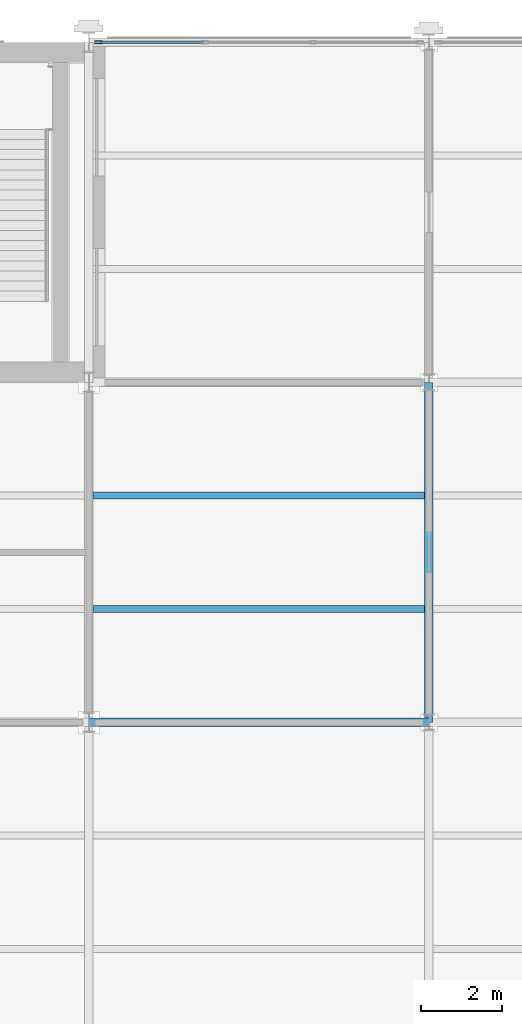
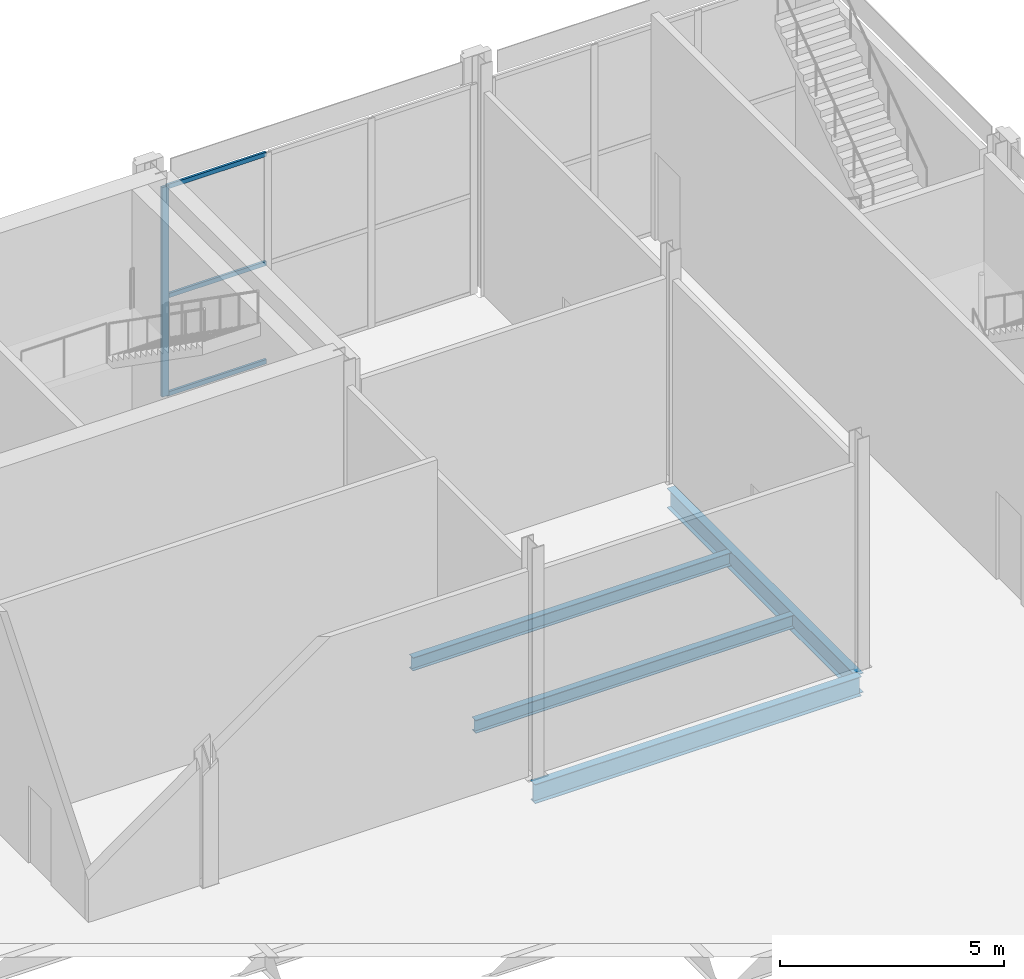
# One storey, part 39 of 77: 4 beams, 4 members, 1 element without a shape of its own.
"""IFC4 building model written with IfcOpenShell, lengths in metres."""

from ifc_helpers import new_model, si_unit, direction, frame, origin, origin_2d, place, context, subcontext, project, spatial, hollow_rectangle, i_section, extrude, material, material_profile, profile_set, type_object, element, aggregate, save


model = new_model("IFC4")

# Units and contexts
model_context = context("Model", 3, precision=1e-05, world=origin(), true_north=direction((0.0, 1.0)))
body_context = subcontext(model_context, "Body", "Model", "MODEL_VIEW")
ifc_project = project(units=[si_unit("LENGTHUNIT", "METRE"), si_unit("AREAUNIT", "SQUARE_METRE"), si_unit("VOLUMEUNIT", "CUBIC_METRE"), si_unit("PLANEANGLEUNIT", "RADIAN"), si_unit("MASSUNIT", "GRAM", prefix="KILO")], contexts=[model_context])

# Site, building, storey
site_placement = place(None, origin())
site = spatial("IfcSite", under=ifc_project, at=site_placement, CompositionType="ELEMENT")
building_placement = place(site_placement, origin())
building = spatial("IfcBuilding", under=site, at=building_placement, Name="Catenary Quay Ferry Terminal", CompositionType="ELEMENT")
storey_placement = place(building_placement, frame((0.0, 0.0, 10.800048828125)))
storey = spatial("IfcBuildingStorey", under=building, at=storey_placement, Name="L02", CompositionType="ELEMENT", Elevation=10.800048828125)

# Beams
ifc_material_1 = material(Name="Steel S355", Category="steel")
ifc_material_profile_1 = material_profile(ifc_material_1, i_section(OverallWidth=0.208740234375, OverallDepth=0.5283203125, WebThickness=0.009521484375, FlangeThickness=0.01318359375, at=origin_2d()), Name="UB 533x210x82")
ifc_profile_set_1 = profile_set([ifc_material_profile_1], Name="Steel S355")
beam_type_1 = type_object("IfcBeamType", Name="B5 UB 533x210x82", PredefinedType="BEAM", material=ifc_profile_set_1)
for number, where, z_axis, x_axis, name in (
    (1, (50.39990234375, 193.199951171875, -0.51416015625), (1.0, 0.0, 0.0), (0.0, 1.0, 0.0), "Beam B5-018"),
    (2, (58.800048828125, 193.199951171875, -0.51416015625), (0.0, 1.0, 0.0), (-1.0, 0.0, 0.0), "Beam B5-042"),
):
    element("IfcBeam", number, at=place(storey_placement, frame(where, z_axis=z_axis, x_axis=x_axis)), inside=storey, type_object=beam_type_1, Name=name, PredefinedType="BEAM", context=body_context, shape_type="SweptSolid", body=[
        extrude(i_section(OverallWidth=0.208740234375, OverallDepth=0.5283203125, WebThickness=0.009521484375, FlangeThickness=0.01318359375, at=origin_2d()), origin(), (0.0, 0.0, 1.0), 8.400146484375),
    ])
ifc_material_2 = material(Name="Steel S355", Category="steel")
ifc_material_profile_2 = material_profile(ifc_material_2, i_section(OverallWidth=0.169921875, OverallDepth=0.360107421875, WebThickness=0.008056640625, FlangeThickness=0.0126953125, at=origin_2d()), Name="IPE 360")
ifc_profile_set_2 = profile_set([ifc_material_profile_2], Name="Steel S355")
beam_type_2 = type_object("IfcBeamType", Name="B7 IPE 360", PredefinedType="BEAM", material=ifc_profile_set_2)
for number, where, z_axis, x_axis, name in (
    (3, (50.50390625, 196.0, -0.429931640625), (1.0, 0.0, 0.0), (0.0, 1.0, 0.0), "Beam B7-038"),
    (4, (50.50390625, 198.800048828125, -0.429931640625), (1.0, 0.0, 0.0), (0.0, 1.0, 0.0), "Beam B7-043"),
):
    element("IfcBeam", number, at=place(storey_placement, frame(where, z_axis=z_axis, x_axis=x_axis)), inside=storey, type_object=beam_type_2, Name=name, PredefinedType="BEAM", context=body_context, shape_type="SweptSolid", body=[
        extrude(i_section(OverallWidth=0.169921875, OverallDepth=0.360107421875, WebThickness=0.008056640625, FlangeThickness=0.0126953125, at=origin_2d()), origin(), (0.0, 0.0, 1.0), 8.192138671875),
    ])

# Curtain wall, members
ifc_material_3 = material(Name="Aluminium and glass", Category="aluminium")
curtain_wall_type = type_object("IfcCurtainWallType", Name="CWW2", PredefinedType="NOTDEFINED", material=ifc_material_3)
curtain_wall_placement = place(storey_placement, origin())
curtain_wall = element("IfcCurtainWall", 5, at=curtain_wall_placement, inside=storey, type_object=curtain_wall_type, Name="Wing curtain wall CW136", PredefinedType="NOTDEFINED")
ifc_material_4 = material(Name="Aluminium", Category="aluminium")
ifc_material_profile_3 = material_profile(ifc_material_4, hollow_rectangle(XDim=0.070068359375, YDim=0.179931640625, WallThickness=0.006103515625, at=origin_2d()), Name="MU3")
ifc_profile_set_3 = profile_set([ifc_material_profile_3], Name="Aluminium")
member_type_1 = type_object("IfcMemberType", Name="MU3", PredefinedType="MULLION", material=ifc_profile_set_3)
member_1_placement = place(storey_placement, frame((50.635009765625, 210.0, 0.0), z_axis=(0.0, 0.0, 1.0), x_axis=(0.0, 1.0, 0.0)))
member_1 = element("IfcMember", 6, at=member_1_placement, type_object=member_type_1, Name="CW136 mullion 1", PredefinedType="MULLION", context=body_context, shape_type="SweptSolid", body=[
    extrude(hollow_rectangle(XDim=0.070068359375, YDim=0.179931640625, WallThickness=0.006103515625, at=origin_2d()), origin(), (0.0, 0.0, 1.0), 5.699951171875),
])
ifc_material_5 = material(Name="Aluminium", Category="aluminium")
ifc_material_profile_4 = material_profile(ifc_material_5, hollow_rectangle(XDim=0.06005859375, YDim=0.1201171875, WallThickness=0.0048828125, at=origin_2d()), Name="TR3")
ifc_profile_set_4 = profile_set([ifc_material_profile_4], Name="Aluminium")
member_type_2 = type_object("IfcMemberType", Name="TR3", PredefinedType="USERDEFINED", material=ifc_profile_set_4)
member_2_placement = place(storey_placement, frame((50.669921875, 210.0, 0.030029296875), z_axis=(1.0, 0.0, 0.0), x_axis=(0.0, 1.0, 0.0)))
member_2 = element("IfcMember", 7, at=member_2_placement, type_object=member_type_2, Name="CW136 transom 1.1", ObjectType="TRANSOM", PredefinedType="USERDEFINED", context=body_context, shape_type="SweptSolid", body=[
    extrude(hollow_rectangle(XDim=0.06005859375, YDim=0.1201171875, WallThickness=0.0048828125, at=origin_2d()), origin(), (0.0, 0.0, 1.0), 2.561767578125),
])
member_3_placement = place(storey_placement, frame((50.669921875, 210.0, 2.699951171875), z_axis=(1.0, 0.0, 0.0), x_axis=(0.0, 1.0, 0.0)))
member_3 = element("IfcMember", 8, at=member_3_placement, type_object=member_type_2, Name="CW136 transom 1.2", ObjectType="TRANSOM", PredefinedType="USERDEFINED", context=body_context, shape_type="SweptSolid", body=[
    extrude(hollow_rectangle(XDim=0.06005859375, YDim=0.1201171875, WallThickness=0.0048828125, at=origin_2d()), origin(), (0.0, 0.0, 1.0), 2.561767578125),
])
member_4_placement = place(storey_placement, frame((50.669921875, 210.0, 5.669921875), z_axis=(1.0, 0.0, 0.0), x_axis=(0.0, 1.0, 0.0)))
member_4 = element("IfcMember", 9, at=member_4_placement, type_object=member_type_2, Name="CW136 transom 1.3", ObjectType="TRANSOM", PredefinedType="USERDEFINED", context=body_context, shape_type="SweptSolid", body=[
    extrude(hollow_rectangle(XDim=0.06005859375, YDim=0.1201171875, WallThickness=0.0048828125, at=origin_2d()), origin(), (0.0, 0.0, 1.0), 2.561767578125),
])
aggregate(curtain_wall, [member_1, member_2, member_3, member_4])

save(model, "model.ifc")
